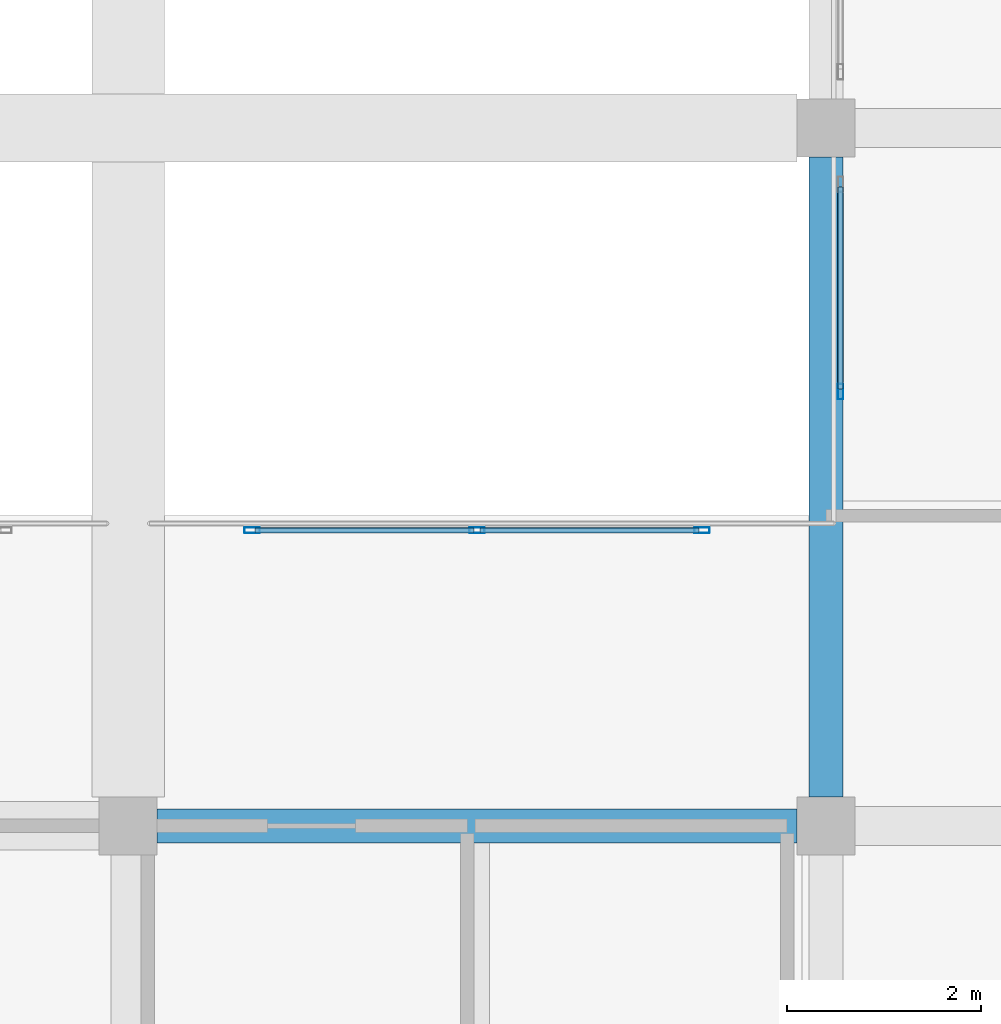
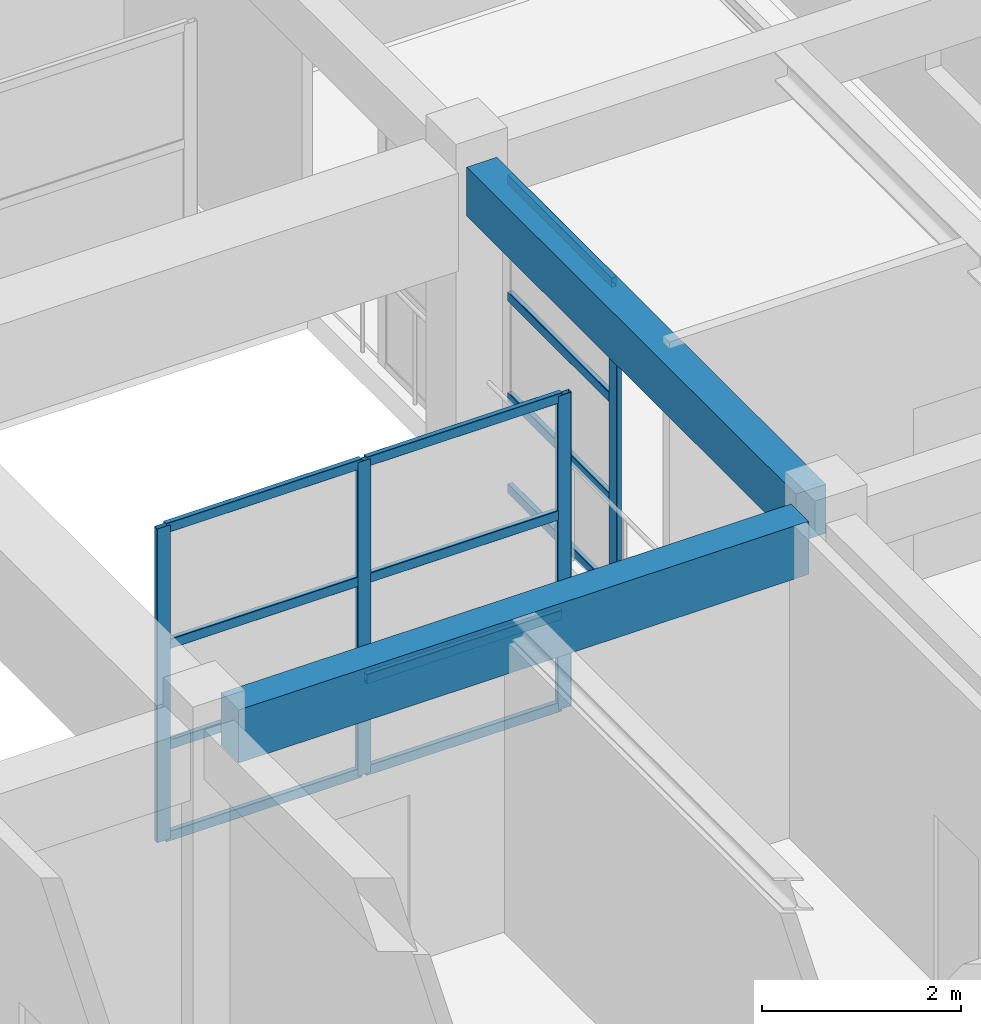
# One storey, part 35 of 99: 16 members, 2 beams, 2 elements without a shape of their own.
"""IFC4 building model written with IfcOpenShell, lengths in metres."""

from ifc_helpers import new_model, si_unit, direction, frame, origin, origin_2d, place, context, subcontext, project, spatial, rectangle, hollow_rectangle, extrude, material, material_profile, profile_set, type_object, element, aggregate, save


model = new_model("IFC4")

# Units and contexts
model_context = context("Model", 3, precision=1e-05, world=origin(), true_north=direction((0.0, 1.0)))
body_context = subcontext(model_context, "Body", "Model", "MODEL_VIEW")
ifc_project = project(units=[si_unit("LENGTHUNIT", "METRE"), si_unit("AREAUNIT", "SQUARE_METRE"), si_unit("VOLUMEUNIT", "CUBIC_METRE"), si_unit("PLANEANGLEUNIT", "RADIAN"), si_unit("MASSUNIT", "GRAM", prefix="KILO")], contexts=[model_context])

# Site, building, storey
site_placement = place(None, origin())
site = spatial("IfcSite", under=ifc_project, at=site_placement, CompositionType="ELEMENT")
building_placement = place(site_placement, origin())
building = spatial("IfcBuilding", under=site, at=building_placement, Name="Bramveld Media Centre", CompositionType="ELEMENT")
storey_placement = place(building_placement, frame((0.0, 0.0, 13.800048828125)))
storey = spatial("IfcBuildingStorey", under=building, at=storey_placement, Name="L03", CompositionType="ELEMENT", Elevation=13.800048828125)

# Beams
ifc_material_1 = material(Name="Concrete C40/50", Category="concrete")
ifc_material_profile_1 = material_profile(ifc_material_1, rectangle(XDim=0.35009765625, YDim=0.60009765625, at=origin_2d()), Name="RC 350x600")
ifc_profile_set_1 = profile_set([ifc_material_profile_1], Name="Concrete C40/50")
beam_type_1 = type_object("IfcBeamType", Name="BM-INT-RC-350x600", PredefinedType="BEAM", material=ifc_profile_set_1)
beam_1_placement = place(storey_placement, frame((94.39990234375, 97.89990234375, 3.579833984375), z_axis=(0.0, 1.0, 0.0), x_axis=(-1.0, 0.0, 0.0)))
element("IfcBeam", 1, at=beam_1_placement, inside=storey, type_object=beam_type_1, Name="V6 L03 girder Y-1163", PredefinedType="BEAM", context=body_context, shape_type="SweptSolid", body=[
    extrude(rectangle(XDim=0.35009765625, YDim=0.60009765625, at=origin_2d()), origin(), (0.0, 0.0, 1.0), 6.60009765625),
])
ifc_material_2 = material(Name="Concrete C40/50", Category="concrete")
ifc_material_profile_2 = material_profile(ifc_material_2, rectangle(XDim=0.35009765625, YDim=0.64990234375, at=origin_2d()), Name="RC 350x650")
ifc_profile_set_2 = profile_set([ifc_material_profile_2], Name="Concrete C40/50")
beam_type_2 = type_object("IfcBeamType", Name="BM-INT-RC-350x650", PredefinedType="BEAM", material=ifc_profile_set_2)
beam_2_placement = place(storey_placement, frame((87.5, 97.60009765625, 3.554931640625), z_axis=(1.0, 0.0, 0.0), x_axis=(0.0, 1.0, 0.0)))
element("IfcBeam", 2, at=beam_2_placement, inside=storey, type_object=beam_type_2, Name="V6 L03 girder X-1142", PredefinedType="BEAM", context=body_context, shape_type="SweptSolid", body=[
    extrude(rectangle(XDim=0.35009765625, YDim=0.64990234375, at=origin_2d()), origin(), (0.0, 0.0, 1.0), 6.60009765625),
])

# Curtain wall, members
ifc_material_3 = material(Name="Thermally broken anodized bronze aluminium unitized curtain wall with solar-control triple glazing", Category="aluminium")
curtain_wall_type_1 = type_object("IfcCurtainWallType", Name="CW-ATR-4700x3840", PredefinedType="NOTDEFINED", material=ifc_material_3)
curtain_wall_1_placement = place(storey_placement, origin())
curtain_wall_1 = element("IfcCurtainWall", 3, at=curtain_wall_1_placement, inside=storey, type_object=curtain_wall_type_1, Name="V6 L03 atrium acoustic screen S2-1", PredefinedType="NOTDEFINED")
ifc_material_4 = material(Name="Thermally broken anodized bronze aluminium EN AW-6063 T6 curtain-wall framing", Category="aluminium")
ifc_material_profile_3 = material_profile(ifc_material_4, hollow_rectangle(XDim=0.06005859375, YDim=0.159912109375, WallThickness=0.00390625, InnerFilletRadius=0.00390625, OuterFilletRadius=0.008056640625, at=origin_2d()), Name="AL-MULL 60x160")
ifc_profile_set_3 = profile_set([ifc_material_profile_3], Name="Thermally broken anodized bronze aluminium EN AW-6063 T6 curtain-wall framing")
member_type_1 = type_object("IfcMemberType", Name="CW-MULL-INT", PredefinedType="MULLION", material=ifc_profile_set_3)
member_1_placement = place(storey_placement, frame((88.47998046875, 100.64990234375, 0.0), z_axis=(0.0, 0.0, 1.0), x_axis=(0.0, 1.0, 0.0)))
member_1 = element("IfcMember", 4, at=member_1_placement, type_object=member_type_1, Name="CW-AT-4738 mullion 1", PredefinedType="MULLION", context=body_context, shape_type="SweptSolid", body=[
    extrude(hollow_rectangle(XDim=0.06005859375, YDim=0.159912109375, WallThickness=0.00390625, InnerFilletRadius=0.00390625, OuterFilletRadius=0.008056640625, at=origin_2d()), origin(), (0.0, 0.0, 1.0), 3.83984375),
])
member_2_placement = place(storey_placement, frame((90.800048828125, 100.64990234375, 0.0), z_axis=(0.0, 0.0, 1.0), x_axis=(0.0, 1.0, 0.0)))
member_2 = element("IfcMember", 5, at=member_2_placement, type_object=member_type_1, Name="CW-AT-4738 mullion 2", PredefinedType="MULLION", context=body_context, shape_type="SweptSolid", body=[
    extrude(hollow_rectangle(XDim=0.06005859375, YDim=0.159912109375, WallThickness=0.00390625, InnerFilletRadius=0.00390625, OuterFilletRadius=0.008056640625, at=origin_2d()), origin(), (0.0, 0.0, 1.0), 3.83984375),
])
member_3_placement = place(storey_placement, frame((93.1201171875, 100.64990234375, 0.0), z_axis=(0.0, 0.0, 1.0), x_axis=(0.0, 1.0, 0.0)))
member_3 = element("IfcMember", 6, at=member_3_placement, type_object=member_type_1, Name="CW-AT-4738 mullion 3", PredefinedType="MULLION", context=body_context, shape_type="SweptSolid", body=[
    extrude(hollow_rectangle(XDim=0.06005859375, YDim=0.159912109375, WallThickness=0.00390625, InnerFilletRadius=0.00390625, OuterFilletRadius=0.008056640625, at=origin_2d()), origin(), (0.0, 0.0, 1.0), 3.83984375),
])

# Curtain wall, member
ifc_material_5 = material(Name="Thermally broken anodized bronze aluminium unitized curtain wall with solar-control triple glazing", Category="aluminium")
curtain_wall_type_2 = type_object("IfcCurtainWallType", Name="CW-ATR-2200x3840", PredefinedType="NOTDEFINED", material=ifc_material_5)
curtain_wall_2_placement = place(storey_placement, origin())
curtain_wall_2 = element("IfcCurtainWall", 7, at=curtain_wall_2_placement, inside=storey, type_object=curtain_wall_type_2, Name="V6 L03 atrium acoustic screen E-1", PredefinedType="NOTDEFINED")
member_4_placement = place(storey_placement, frame((94.550048828125, 102.080078125, 0.0), z_axis=(0.0, 0.0, 1.0), x_axis=(-1.0, 0.0, 0.0)))
member_4 = element("IfcMember", 8, at=member_4_placement, type_object=member_type_1, Name="CW-AT-2238 mullion 1", PredefinedType="MULLION", context=body_context, shape_type="SweptSolid", body=[
    extrude(hollow_rectangle(XDim=0.06005859375, YDim=0.159912109375, WallThickness=0.00390625, InnerFilletRadius=0.00390625, OuterFilletRadius=0.008056640625, at=origin_2d()), origin(), (0.0, 0.0, 1.0), 3.83984375),
])

# Member
ifc_material_6 = material(Name="Thermally broken anodized bronze aluminium EN AW-6063 T6 curtain-wall framing", Category="aluminium")
ifc_material_profile_4 = material_profile(ifc_material_6, hollow_rectangle(XDim=0.06005859375, YDim=0.1201171875, WallThickness=0.00341796875, InnerFilletRadius=0.00341796875, OuterFilletRadius=0.007080078125, at=origin_2d()), Name="AL-TRAN 60x120")
ifc_profile_set_4 = profile_set([ifc_material_profile_4], Name="Thermally broken anodized bronze aluminium EN AW-6063 T6 curtain-wall framing")
member_type_2 = type_object("IfcMemberType", Name="CW-TRAN-INT", PredefinedType="USERDEFINED", material=ifc_profile_set_4)
member_5_placement = place(storey_placement, frame((88.510009765625, 100.64990234375, 0.030029296875), z_axis=(1.0, 0.0, 0.0), x_axis=(0.0, 1.0, 0.0)))
member_5 = element("IfcMember", 9, at=member_5_placement, type_object=member_type_2, Name="CW-AT-4738 transom 1.1", ObjectType="TRANSOM", PredefinedType="USERDEFINED", context=body_context, shape_type="SweptSolid", body=[
    extrude(hollow_rectangle(XDim=0.06005859375, YDim=0.1201171875, WallThickness=0.00341796875, InnerFilletRadius=0.00341796875, OuterFilletRadius=0.007080078125, at=origin_2d()), origin(), (0.0, 0.0, 1.0), 2.260009765625),
])

member_6_placement = place(storey_placement, frame((88.510009765625, 100.64990234375, 1.14990234375), z_axis=(1.0, 0.0, 0.0), x_axis=(0.0, 1.0, 0.0)))
member_6 = element("IfcMember", 10, at=member_6_placement, type_object=member_type_2, Name="CW-AT-4738 transom 1.2", ObjectType="TRANSOM", PredefinedType="USERDEFINED", context=body_context, shape_type="SweptSolid", body=[
    extrude(hollow_rectangle(XDim=0.06005859375, YDim=0.1201171875, WallThickness=0.00341796875, InnerFilletRadius=0.00341796875, OuterFilletRadius=0.007080078125, at=origin_2d()), origin(), (0.0, 0.0, 1.0), 2.260009765625),
])

member_7_placement = place(storey_placement, frame((88.510009765625, 100.64990234375, 2.380859375), z_axis=(1.0, 0.0, 0.0), x_axis=(0.0, 1.0, 0.0)))
member_7 = element("IfcMember", 11, at=member_7_placement, type_object=member_type_2, Name="CW-AT-4738 transom 1.3", ObjectType="TRANSOM", PredefinedType="USERDEFINED", context=body_context, shape_type="SweptSolid", body=[
    extrude(hollow_rectangle(XDim=0.06005859375, YDim=0.1201171875, WallThickness=0.00341796875, InnerFilletRadius=0.00341796875, OuterFilletRadius=0.007080078125, at=origin_2d()), origin(), (0.0, 0.0, 1.0), 2.260009765625),
])

member_8_placement = place(storey_placement, frame((88.510009765625, 100.64990234375, 3.81005859375), z_axis=(1.0, 0.0, 0.0), x_axis=(0.0, 1.0, 0.0)))
member_8 = element("IfcMember", 12, at=member_8_placement, type_object=member_type_2, Name="CW-AT-4738 transom 1.4", ObjectType="TRANSOM", PredefinedType="USERDEFINED", context=body_context, shape_type="SweptSolid", body=[
    extrude(hollow_rectangle(XDim=0.06005859375, YDim=0.1201171875, WallThickness=0.00341796875, InnerFilletRadius=0.00341796875, OuterFilletRadius=0.007080078125, at=origin_2d()), origin(), (0.0, 0.0, 1.0), 2.260009765625),
])

member_9_placement = place(storey_placement, frame((90.830078125, 100.64990234375, 0.030029296875), z_axis=(1.0, 0.0, 0.0), x_axis=(0.0, 1.0, 0.0)))
member_9 = element("IfcMember", 13, at=member_9_placement, type_object=member_type_2, Name="CW-AT-4738 transom 2.1", ObjectType="TRANSOM", PredefinedType="USERDEFINED", context=body_context, shape_type="SweptSolid", body=[
    extrude(hollow_rectangle(XDim=0.06005859375, YDim=0.1201171875, WallThickness=0.00341796875, InnerFilletRadius=0.00341796875, OuterFilletRadius=0.007080078125, at=origin_2d()), origin(), (0.0, 0.0, 1.0), 2.260009765625),
])

member_10_placement = place(storey_placement, frame((90.830078125, 100.64990234375, 1.14990234375), z_axis=(1.0, 0.0, 0.0), x_axis=(0.0, 1.0, 0.0)))
member_10 = element("IfcMember", 14, at=member_10_placement, type_object=member_type_2, Name="CW-AT-4738 transom 2.2", ObjectType="TRANSOM", PredefinedType="USERDEFINED", context=body_context, shape_type="SweptSolid", body=[
    extrude(hollow_rectangle(XDim=0.06005859375, YDim=0.1201171875, WallThickness=0.00341796875, InnerFilletRadius=0.00341796875, OuterFilletRadius=0.007080078125, at=origin_2d()), origin(), (0.0, 0.0, 1.0), 2.260009765625),
])

member_11_placement = place(storey_placement, frame((90.830078125, 100.64990234375, 2.380859375), z_axis=(1.0, 0.0, 0.0), x_axis=(0.0, 1.0, 0.0)))
member_11 = element("IfcMember", 15, at=member_11_placement, type_object=member_type_2, Name="CW-AT-4738 transom 2.3", ObjectType="TRANSOM", PredefinedType="USERDEFINED", context=body_context, shape_type="SweptSolid", body=[
    extrude(hollow_rectangle(XDim=0.06005859375, YDim=0.1201171875, WallThickness=0.00341796875, InnerFilletRadius=0.00341796875, OuterFilletRadius=0.007080078125, at=origin_2d()), origin(), (0.0, 0.0, 1.0), 2.260009765625),
])

member_12_placement = place(storey_placement, frame((90.830078125, 100.64990234375, 3.81005859375), z_axis=(1.0, 0.0, 0.0), x_axis=(0.0, 1.0, 0.0)))
member_12 = element("IfcMember", 16, at=member_12_placement, type_object=member_type_2, Name="CW-AT-4738 transom 2.4", ObjectType="TRANSOM", PredefinedType="USERDEFINED", context=body_context, shape_type="SweptSolid", body=[
    extrude(hollow_rectangle(XDim=0.06005859375, YDim=0.1201171875, WallThickness=0.00341796875, InnerFilletRadius=0.00341796875, OuterFilletRadius=0.007080078125, at=origin_2d()), origin(), (0.0, 0.0, 1.0), 2.260009765625),
])

aggregate(curtain_wall_1, [member_1, member_2, member_3, member_5, member_6, member_7, member_8, member_9, member_10, member_11, member_12])

member_13_placement = place(storey_placement, frame((94.550048828125, 102.110107421875, 0.030029296875), z_axis=(0.0, 1.0, 0.0), x_axis=(-1.0, 0.0, 0.0)))
member_13 = element("IfcMember", 17, at=member_13_placement, type_object=member_type_2, Name="CW-AT-2238 transom 1.1", ObjectType="TRANSOM", PredefinedType="USERDEFINED", context=body_context, shape_type="SweptSolid", body=[
    extrude(hollow_rectangle(XDim=0.06005859375, YDim=0.1201171875, WallThickness=0.00341796875, InnerFilletRadius=0.00341796875, OuterFilletRadius=0.007080078125, at=origin_2d()), origin(), (0.0, 0.0, 1.0), 2.079833984375),
])

member_14_placement = place(storey_placement, frame((94.550048828125, 102.110107421875, 1.14990234375), z_axis=(0.0, 1.0, 0.0), x_axis=(-1.0, 0.0, 0.0)))
member_14 = element("IfcMember", 18, at=member_14_placement, type_object=member_type_2, Name="CW-AT-2238 transom 1.2", ObjectType="TRANSOM", PredefinedType="USERDEFINED", context=body_context, shape_type="SweptSolid", body=[
    extrude(hollow_rectangle(XDim=0.06005859375, YDim=0.1201171875, WallThickness=0.00341796875, InnerFilletRadius=0.00341796875, OuterFilletRadius=0.007080078125, at=origin_2d()), origin(), (0.0, 0.0, 1.0), 2.079833984375),
])

member_15_placement = place(storey_placement, frame((94.550048828125, 102.110107421875, 2.380859375), z_axis=(0.0, 1.0, 0.0), x_axis=(-1.0, 0.0, 0.0)))
member_15 = element("IfcMember", 19, at=member_15_placement, type_object=member_type_2, Name="CW-AT-2238 transom 1.3", ObjectType="TRANSOM", PredefinedType="USERDEFINED", context=body_context, shape_type="SweptSolid", body=[
    extrude(hollow_rectangle(XDim=0.06005859375, YDim=0.1201171875, WallThickness=0.00341796875, InnerFilletRadius=0.00341796875, OuterFilletRadius=0.007080078125, at=origin_2d()), origin(), (0.0, 0.0, 1.0), 2.079833984375),
])

member_16_placement = place(storey_placement, frame((94.550048828125, 102.110107421875, 3.81005859375), z_axis=(0.0, 1.0, 0.0), x_axis=(-1.0, 0.0, 0.0)))
member_16 = element("IfcMember", 20, at=member_16_placement, type_object=member_type_2, Name="CW-AT-2238 transom 1.4", ObjectType="TRANSOM", PredefinedType="USERDEFINED", context=body_context, shape_type="SweptSolid", body=[
    extrude(hollow_rectangle(XDim=0.06005859375, YDim=0.1201171875, WallThickness=0.00341796875, InnerFilletRadius=0.00341796875, OuterFilletRadius=0.007080078125, at=origin_2d()), origin(), (0.0, 0.0, 1.0), 2.079833984375),
])

aggregate(curtain_wall_2, [member_4, member_13, member_14, member_15, member_16])

save(model, "model.ifc")
